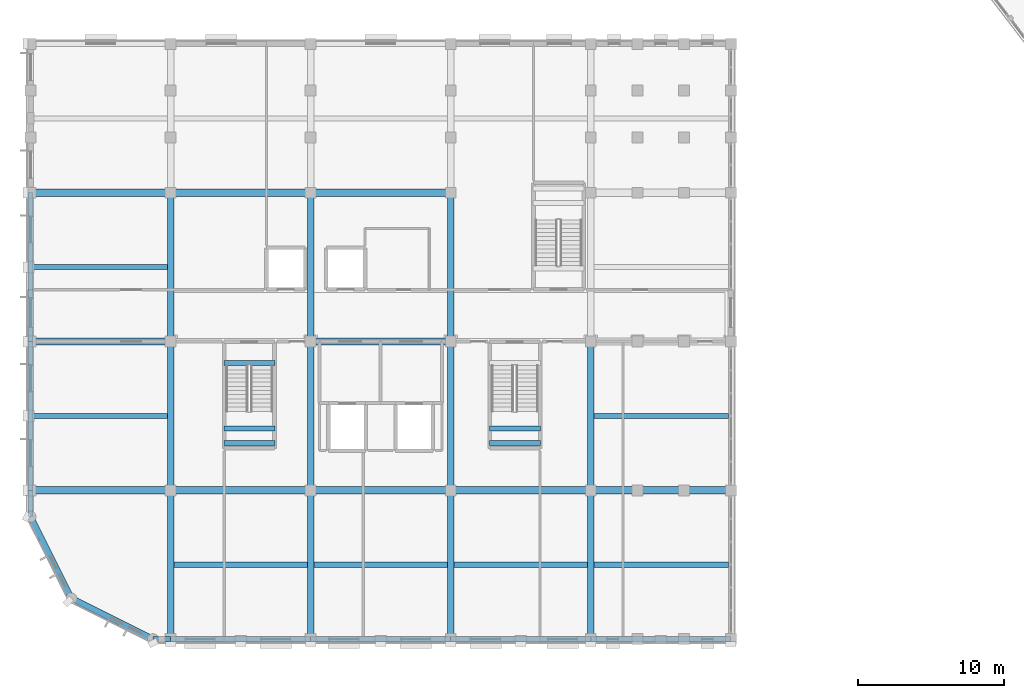
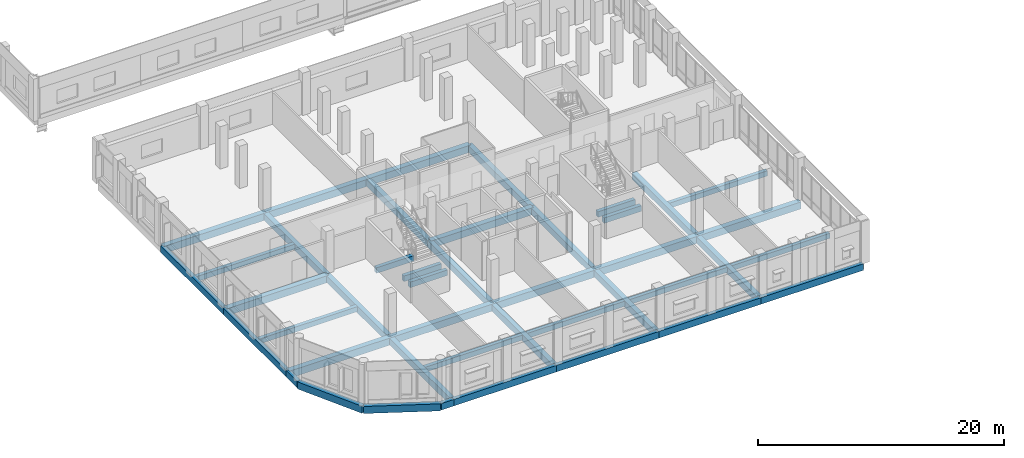
# One storey, part 20 of 170: 43 beams.
"""IFC4 building model written with IfcOpenShell, lengths in metres."""

from ifc_helpers import new_model, si_unit, direction, frame, origin, origin_2d, place, context, subcontext, project, spatial, rectangle, extrude, material, material_profile, profile_set, type_object, element, save


model = new_model("IFC4")

# Units and contexts
model_context = context("Model", 3, precision=1e-05, world=origin(), true_north=direction((0.0, 1.0)))
body_context = subcontext(model_context, "Body", "Model", "MODEL_VIEW")
ifc_project = project(units=[si_unit("LENGTHUNIT", "METRE"), si_unit("AREAUNIT", "SQUARE_METRE"), si_unit("VOLUMEUNIT", "CUBIC_METRE"), si_unit("PLANEANGLEUNIT", "RADIAN"), si_unit("MASSUNIT", "GRAM", prefix="KILO")], contexts=[model_context])

# Site, building, storey
site_placement = place(None, origin())
site = spatial("IfcSite", under=ifc_project, at=site_placement, CompositionType="ELEMENT")
building_placement = place(site_placement, origin())
building = spatial("IfcBuilding", under=site, at=building_placement, Name="Vondelvale Polytechnic", CompositionType="ELEMENT")
storey_placement = place(building_placement, frame((0.0, 0.0, 5.39990234375)))
storey = spatial("IfcBuildingStorey", under=building, at=storey_placement, Name="L01", CompositionType="ELEMENT", Elevation=5.39990234375)

# Beams
ifc_material_1 = material(Name="Concrete N40 (f'c = 40 MPa)", Category="concrete")
ifc_material_profile_1 = material_profile(ifc_material_1, rectangle(XDim=0.35009765625, YDim=0.550048828125, at=origin_2d()), Name="RC-BM-350x550")
ifc_profile_set_1 = profile_set([ifc_material_profile_1], Name="Concrete N40 (f'c = 40 MPa)")
beam_type_1 = type_object("IfcBeamType", Name="BM-RC350x550", PredefinedType="BEAM", material=ifc_profile_set_1)
for number, where, z_axis, x_axis, name in (
    (1, (13.25, 14.449951171875, 1.625), (1.0, 0.0, 0.0), (0.0, 1.0, 0.0), "L01 STLD B-06"),
    (2, (13.25, 13.449951171875, 1.625), (1.0, 0.0, 0.0), (0.0, 1.0, 0.0), "L01 STLD B-06"),
    (3, (13.25, 18.925048828125, -0.27490234375), (1.0, 0.0, 0.0), (0.0, 1.0, 0.0), "L01 STHD B-06"),
    (4, (31.449951171875, 14.449951171875, 1.625), (1.0, 0.0, 0.0), (0.0, 1.0, 0.0), "L01 STLD B-06"),
    (5, (31.449951171875, 13.449951171875, 1.625), (1.0, 0.0, 0.0), (0.0, 1.0, 0.0), "L01 STLD B-06"),
):
    element("IfcBeam", number, at=place(storey_placement, frame(where, z_axis=z_axis, x_axis=x_axis)), inside=storey, type_object=beam_type_1, Name=name, PredefinedType="BEAM", context=body_context, shape_type="SweptSolid", body=[
        extrude(rectangle(XDim=0.35009765625, YDim=0.550048828125, at=origin_2d()), origin(), (0.0, 0.0, 1.0), 3.5),
    ])
ifc_material_profile_2 = material_profile(ifc_material_1, rectangle(XDim=0.449951171875, YDim=0.64990234375, at=origin_2d()), Name="RC-BM-450x650")
ifc_profile_set_2 = profile_set([ifc_material_profile_2], Name="Concrete N40 (f'c = 40 MPa)")
beam_type_2 = type_object("IfcBeamType", Name="BM-RC450x650", PredefinedType="BEAM", material=ifc_profile_set_2)
for number, where, z_axis, x_axis, name in (
    (6, (9.60009765625, 0.0, -0.60498046875), (0.0, 1.0, 0.0), (-1.0, 0.0, 0.0), "L01 B B-04"),
    (7, (9.60009765625, 10.199951171875, -0.60498046875), (0.0, 1.0, 0.0), (-1.0, 0.0, 0.0), "L01 B B-04"),
):
    element("IfcBeam", number, at=place(storey_placement, frame(where, z_axis=z_axis, x_axis=x_axis)), inside=storey, type_object=beam_type_2, Name=name, PredefinedType="BEAM", context=body_context, shape_type="SweptSolid", body=[
        extrude(rectangle(XDim=0.449951171875, YDim=0.64990234375, at=origin_2d()), origin(), (0.0, 0.0, 1.0), 10.199951171875),
    ])
beam_1_placement = place(storey_placement, frame((9.60009765625, 20.39990234375, -0.60498046875), z_axis=(0.0, 1.0, 0.0), x_axis=(-1.0, 0.0, 0.0)))
element("IfcBeam", 8, at=beam_1_placement, inside=storey, type_object=beam_type_2, Name="L01 B B-04", PredefinedType="BEAM", context=body_context, shape_type="SweptSolid", body=[
    extrude(rectangle(XDim=0.449951171875, YDim=0.64990234375, at=origin_2d()), origin(), (0.0, 0.0, 1.0), 10.2001953125),
])
for number, where, z_axis, x_axis, name in (
    (9, (19.199951171875, 0.0, -0.60498046875), (0.0, 1.0, 0.0), (-1.0, 0.0, 0.0), "L01 B B-04"),
    (10, (19.199951171875, 10.199951171875, -0.60498046875), (0.0, 1.0, 0.0), (-1.0, 0.0, 0.0), "L01 B B-04"),
):
    element("IfcBeam", number, at=place(storey_placement, frame(where, z_axis=z_axis, x_axis=x_axis)), inside=storey, type_object=beam_type_2, Name=name, PredefinedType="BEAM", context=body_context, shape_type="SweptSolid", body=[
        extrude(rectangle(XDim=0.449951171875, YDim=0.64990234375, at=origin_2d()), origin(), (0.0, 0.0, 1.0), 10.199951171875),
    ])
beam_2_placement = place(storey_placement, frame((19.199951171875, 20.39990234375, -0.60498046875), z_axis=(0.0, 1.0, 0.0), x_axis=(-1.0, 0.0, 0.0)))
element("IfcBeam", 11, at=beam_2_placement, inside=storey, type_object=beam_type_2, Name="L01 B B-04", PredefinedType="BEAM", context=body_context, shape_type="SweptSolid", body=[
    extrude(rectangle(XDim=0.449951171875, YDim=0.64990234375, at=origin_2d()), origin(), (0.0, 0.0, 1.0), 10.2001953125),
])
for number, where, z_axis, x_axis, name in (
    (12, (28.800048828125, 0.0, -0.60498046875), (0.0, 1.0, 0.0), (-1.0, 0.0, 0.0), "L01 B B-04"),
    (13, (28.800048828125, 10.199951171875, -0.60498046875), (0.0, 1.0, 0.0), (-1.0, 0.0, 0.0), "L01 B B-04"),
):
    element("IfcBeam", number, at=place(storey_placement, frame(where, z_axis=z_axis, x_axis=x_axis)), inside=storey, type_object=beam_type_2, Name=name, PredefinedType="BEAM", context=body_context, shape_type="SweptSolid", body=[
        extrude(rectangle(XDim=0.449951171875, YDim=0.64990234375, at=origin_2d()), origin(), (0.0, 0.0, 1.0), 10.199951171875),
    ])
beam_3_placement = place(storey_placement, frame((28.800048828125, 20.39990234375, -0.60498046875), z_axis=(0.0, 1.0, 0.0), x_axis=(-1.0, 0.0, 0.0)))
element("IfcBeam", 14, at=beam_3_placement, inside=storey, type_object=beam_type_2, Name="L01 B B-04", PredefinedType="BEAM", context=body_context, shape_type="SweptSolid", body=[
    extrude(rectangle(XDim=0.449951171875, YDim=0.64990234375, at=origin_2d()), origin(), (0.0, 0.0, 1.0), 10.2001953125),
])
for number, where, z_axis, x_axis, name in (
    (15, (38.39990234375, 0.0, -0.60498046875), (0.0, 1.0, 0.0), (-1.0, 0.0, 0.0), "L01 B B-04"),
    (16, (38.39990234375, 10.199951171875, -0.60498046875), (0.0, 1.0, 0.0), (-1.0, 0.0, 0.0), "L01 B B-04"),
):
    element("IfcBeam", number, at=place(storey_placement, frame(where, z_axis=z_axis, x_axis=x_axis)), inside=storey, type_object=beam_type_2, Name=name, PredefinedType="BEAM", context=body_context, shape_type="SweptSolid", body=[
        extrude(rectangle(XDim=0.449951171875, YDim=0.64990234375, at=origin_2d()), origin(), (0.0, 0.0, 1.0), 10.199951171875),
    ])
ifc_material_profile_3 = material_profile(ifc_material_1, rectangle(XDim=0.5, YDim=0.699951171875, at=origin_2d()), Name="RC-BM-500x700")
ifc_profile_set_3 = profile_set([ifc_material_profile_3], Name="Concrete N40 (f'c = 40 MPa)")
beam_type_3 = type_object("IfcBeamType", Name="BM-RC500x700", PredefinedType="BEAM", material=ifc_profile_set_3)
beam_4_placement = place(storey_placement, frame((0.0, 10.199951171875, -0.6298828125), z_axis=(1.0, 0.0, 0.0), x_axis=(0.0, 1.0, 0.0)))
element("IfcBeam", 17, at=beam_4_placement, inside=storey, type_object=beam_type_3, Name="L01 B B-03", PredefinedType="BEAM", context=body_context, shape_type="SweptSolid", body=[
    extrude(rectangle(XDim=0.5, YDim=0.699951171875, at=origin_2d()), origin(), (0.0, 0.0, 1.0), 9.60009765625),
])
beam_5_placement = place(storey_placement, frame((9.60009765625, 10.199951171875, -0.6298828125), z_axis=(1.0, 0.0, 0.0), x_axis=(0.0, 1.0, 0.0)))
element("IfcBeam", 18, at=beam_5_placement, inside=storey, type_object=beam_type_3, Name="L01 B B-03", PredefinedType="BEAM", context=body_context, shape_type="SweptSolid", body=[
    extrude(rectangle(XDim=0.5, YDim=0.699951171875, at=origin_2d()), origin(), (0.0, 0.0, 1.0), 9.599853515625),
])
beam_6_placement = place(storey_placement, frame((19.199951171875, 10.199951171875, -0.6298828125), z_axis=(1.0, 0.0, 0.0), x_axis=(0.0, 1.0, 0.0)))
element("IfcBeam", 19, at=beam_6_placement, inside=storey, type_object=beam_type_3, Name="L01 B B-03", PredefinedType="BEAM", context=body_context, shape_type="SweptSolid", body=[
    extrude(rectangle(XDim=0.5, YDim=0.699951171875, at=origin_2d()), origin(), (0.0, 0.0, 1.0), 9.60009765625),
])
beam_7_placement = place(storey_placement, frame((28.800048828125, 10.199951171875, -0.6298828125), z_axis=(1.0, 0.0, 0.0), x_axis=(0.0, 1.0, 0.0)))
element("IfcBeam", 20, at=beam_7_placement, inside=storey, type_object=beam_type_3, Name="L01 B B-03", PredefinedType="BEAM", context=body_context, shape_type="SweptSolid", body=[
    extrude(rectangle(XDim=0.5, YDim=0.699951171875, at=origin_2d()), origin(), (0.0, 0.0, 1.0), 9.599853515625),
])
for number, where, z_axis, x_axis, name in (
    (21, (38.39990234375, 10.199951171875, -0.6298828125), (1.0, 0.0, 0.0), (0.0, 1.0, 0.0), "L01 B B-03"),
    (22, (0.0, 20.39990234375, -0.6298828125), (1.0, 0.0, 0.0), (0.0, 1.0, 0.0), "L01 B B-03"),
    (23, (19.199951171875, 20.39990234375, -0.6298828125), (1.0, 0.0, 0.0), (0.0, 1.0, 0.0), "L01 B B-03"),
    (24, (0.0, 30.60009765625, -0.6298828125), (1.0, 0.0, 0.0), (0.0, 1.0, 0.0), "L01 B B-03"),
):
    element("IfcBeam", number, at=place(storey_placement, frame(where, z_axis=z_axis, x_axis=x_axis)), inside=storey, type_object=beam_type_3, Name=name, PredefinedType="BEAM", context=body_context, shape_type="SweptSolid", body=[
        extrude(rectangle(XDim=0.5, YDim=0.699951171875, at=origin_2d()), origin(), (0.0, 0.0, 1.0), 9.60009765625),
    ])
beam_8_placement = place(storey_placement, frame((9.60009765625, 30.60009765625, -0.6298828125), z_axis=(1.0, 0.0, 0.0), x_axis=(0.0, 1.0, 0.0)))
element("IfcBeam", 25, at=beam_8_placement, inside=storey, type_object=beam_type_3, Name="L01 B B-03", PredefinedType="BEAM", context=body_context, shape_type="SweptSolid", body=[
    extrude(rectangle(XDim=0.5, YDim=0.699951171875, at=origin_2d()), origin(), (0.0, 0.0, 1.0), 9.599853515625),
])
beam_9_placement = place(storey_placement, frame((19.199951171875, 30.60009765625, -0.6298828125), z_axis=(1.0, 0.0, 0.0), x_axis=(0.0, 1.0, 0.0)))
element("IfcBeam", 26, at=beam_9_placement, inside=storey, type_object=beam_type_3, Name="L01 B B-03", PredefinedType="BEAM", context=body_context, shape_type="SweptSolid", body=[
    extrude(rectangle(XDim=0.5, YDim=0.699951171875, at=origin_2d()), origin(), (0.0, 0.0, 1.0), 9.60009765625),
])
ifc_material_profile_4 = material_profile(ifc_material_1, rectangle(XDim=0.35009765625, YDim=0.5, at=origin_2d()), Name="RC-JST-350x500")
ifc_profile_set_4 = profile_set([ifc_material_profile_4], Name="Concrete N40 (f'c = 40 MPa)")
beam_type_4 = type_object("IfcBeamType", Name="JST-RC350x500", PredefinedType="JOIST", material=ifc_profile_set_4)
beam_10_placement = place(storey_placement, frame((9.824951171875, 5.10009765625, -0.52978515625), z_axis=(1.0, 0.0, 0.0), x_axis=(0.0, 1.0, 0.0)))
element("IfcBeam", 27, at=beam_10_placement, inside=storey, type_object=beam_type_4, Name="L01 J J-01", PredefinedType="JOIST", context=body_context, shape_type="SweptSolid", body=[
    extrude(rectangle(XDim=0.35009765625, YDim=0.5, at=origin_2d()), origin(), (0.0, 0.0, 1.0), 9.150146484375),
])
beam_11_placement = place(storey_placement, frame((19.425048828125, 5.10009765625, -0.52978515625), z_axis=(1.0, 0.0, 0.0), x_axis=(0.0, 1.0, 0.0)))
element("IfcBeam", 28, at=beam_11_placement, inside=storey, type_object=beam_type_4, Name="L01 J J-01", PredefinedType="JOIST", context=body_context, shape_type="SweptSolid", body=[
    extrude(rectangle(XDim=0.35009765625, YDim=0.5, at=origin_2d()), origin(), (0.0, 0.0, 1.0), 9.14990234375),
])
beam_12_placement = place(storey_placement, frame((29.02490234375, 5.10009765625, -0.52978515625), z_axis=(1.0, 0.0, 0.0), x_axis=(0.0, 1.0, 0.0)))
element("IfcBeam", 29, at=beam_12_placement, inside=storey, type_object=beam_type_4, Name="L01 J J-01", PredefinedType="JOIST", context=body_context, shape_type="SweptSolid", body=[
    extrude(rectangle(XDim=0.35009765625, YDim=0.5, at=origin_2d()), origin(), (0.0, 0.0, 1.0), 9.150146484375),
])
for number, where, z_axis, x_axis, name in (
    (30, (38.625, 5.10009765625, -0.52978515625), (1.0, 0.0, 0.0), (0.0, 1.0, 0.0), "L01 J J-01"),
    (31, (0.175048828125, 15.300048828125, -0.52978515625), (1.0, 0.0, 0.0), (0.0, 1.0, 0.0), "L01 J J-01"),
    (32, (38.625, 15.300048828125, -0.52978515625), (1.0, 0.0, 0.0), (0.0, 1.0, 0.0), "L01 J J-01"),
    (33, (0.175048828125, 25.5, -0.52978515625), (1.0, 0.0, 0.0), (0.0, 1.0, 0.0), "L01 J J-01"),
):
    element("IfcBeam", number, at=place(storey_placement, frame(where, z_axis=z_axis, x_axis=x_axis)), inside=storey, type_object=beam_type_4, Name=name, PredefinedType="JOIST", context=body_context, shape_type="SweptSolid", body=[
        extrude(rectangle(XDim=0.35009765625, YDim=0.5, at=origin_2d()), origin(), (0.0, 0.0, 1.0), 9.199951171875),
    ])
ifc_material_2 = material(Name="Precast concrete N40 (f'c = 40 MPa)", Category="concrete")
ifc_material_profile_5 = material_profile(ifc_material_2, rectangle(XDim=0.35009765625, YDim=0.64990234375, at=origin_2d()), Name="RC-SPN-350x650")
ifc_profile_set_5 = profile_set([ifc_material_profile_5], Name="Precast concrete N40 (f'c = 40 MPa)")
beam_type_5 = type_object("IfcBeamType", Name="SPN-PRE350x650", PredefinedType="SPANDREL", material=ifc_profile_set_5)
beam_13_placement = place(storey_placement, frame((8.39990234375, 0.0, -0.60498046875), z_axis=(1.0, 0.0, 0.0), x_axis=(0.0, 1.0, 0.0)))
element("IfcBeam", 34, at=beam_13_placement, inside=storey, type_object=beam_type_5, Name="L01 B SP-02", PredefinedType="SPANDREL", context=body_context, shape_type="SweptSolid", body=[
    extrude(rectangle(XDim=0.35009765625, YDim=0.64990234375, at=origin_2d()), origin(), (0.0, 0.0, 1.0), 1.2001953125),
])
beam_14_placement = place(storey_placement, frame((9.60009765625, 0.0, -0.60498046875), z_axis=(1.0, 0.0, 0.0), x_axis=(0.0, 1.0, 0.0)))
element("IfcBeam", 35, at=beam_14_placement, inside=storey, type_object=beam_type_5, Name="L01 B SP-02", PredefinedType="SPANDREL", context=body_context, shape_type="SweptSolid", body=[
    extrude(rectangle(XDim=0.35009765625, YDim=0.64990234375, at=origin_2d()), origin(), (0.0, 0.0, 1.0), 9.599853515625),
])
beam_15_placement = place(storey_placement, frame((19.199951171875, 0.0, -0.60498046875), z_axis=(1.0, 0.0, 0.0), x_axis=(0.0, 1.0, 0.0)))
element("IfcBeam", 36, at=beam_15_placement, inside=storey, type_object=beam_type_5, Name="L01 B SP-02", PredefinedType="SPANDREL", context=body_context, shape_type="SweptSolid", body=[
    extrude(rectangle(XDim=0.35009765625, YDim=0.64990234375, at=origin_2d()), origin(), (0.0, 0.0, 1.0), 9.60009765625),
])
beam_16_placement = place(storey_placement, frame((28.800048828125, 0.0, -0.60498046875), z_axis=(1.0, 0.0, 0.0), x_axis=(0.0, 1.0, 0.0)))
element("IfcBeam", 37, at=beam_16_placement, inside=storey, type_object=beam_type_5, Name="L01 B SP-02", PredefinedType="SPANDREL", context=body_context, shape_type="SweptSolid", body=[
    extrude(rectangle(XDim=0.35009765625, YDim=0.64990234375, at=origin_2d()), origin(), (0.0, 0.0, 1.0), 9.599853515625),
])
beam_17_placement = place(storey_placement, frame((38.39990234375, 0.0, -0.60498046875), z_axis=(1.0, 0.0, 0.0), x_axis=(0.0, 1.0, 0.0)))
element("IfcBeam", 38, at=beam_17_placement, inside=storey, type_object=beam_type_5, Name="L01 B SP-02", PredefinedType="SPANDREL", context=body_context, shape_type="SweptSolid", body=[
    extrude(rectangle(XDim=0.35009765625, YDim=0.64990234375, at=origin_2d()), origin(), (0.0, 0.0, 1.0), 9.60009765625),
])
beam_18_placement = place(storey_placement, frame((0.0, 8.39990234375, -0.60498046875), z_axis=(0.0, 1.0, 0.0), x_axis=(-1.0, 0.0, 0.0)))
element("IfcBeam", 39, at=beam_18_placement, inside=storey, type_object=beam_type_5, Name="L01 B SP-02", PredefinedType="SPANDREL", context=body_context, shape_type="SweptSolid", body=[
    extrude(rectangle(XDim=0.35009765625, YDim=0.64990234375, at=origin_2d()), origin(), (0.0, 0.0, 1.0), 1.800048828125),
])
beam_19_placement = place(storey_placement, frame((0.0, 10.199951171875, -0.60498046875), z_axis=(0.0, 1.0, 0.0), x_axis=(-1.0, 0.0, 0.0)))
element("IfcBeam", 40, at=beam_19_placement, inside=storey, type_object=beam_type_5, Name="L01 B SP-02", PredefinedType="SPANDREL", context=body_context, shape_type="SweptSolid", body=[
    extrude(rectangle(XDim=0.35009765625, YDim=0.64990234375, at=origin_2d()), origin(), (0.0, 0.0, 1.0), 10.199951171875),
])
beam_20_placement = place(storey_placement, frame((0.0, 20.39990234375, -0.60498046875), z_axis=(0.0, 1.0, 0.0), x_axis=(-1.0, 0.0, 0.0)))
element("IfcBeam", 41, at=beam_20_placement, inside=storey, type_object=beam_type_5, Name="L01 B SP-02", PredefinedType="SPANDREL", context=body_context, shape_type="SweptSolid", body=[
    extrude(rectangle(XDim=0.35009765625, YDim=0.64990234375, at=origin_2d()), origin(), (0.0, 0.0, 1.0), 10.2001953125),
])
ifc_material_profile_6 = material_profile(ifc_material_2, rectangle(XDim=0.39990234375, YDim=0.699951171875, at=origin_2d()), Name="RC-SPN-400x700")
ifc_profile_set_6 = profile_set([ifc_material_profile_6], Name="Precast concrete N40 (f'c = 40 MPa)")
beam_type_6 = type_object("IfcBeamType", Name="SPN-PRE400x700", PredefinedType="SPANDREL", material=ifc_profile_set_6)
for number, where, z_axis, x_axis, name in (
    (42, (8.39990234375, 0.0, -0.6298828125), (-0.894419391942, 0.447229193276, 0.0), (-0.447229193276, -0.894419391942, 0.0), "L01 SP SP-01"),
    (43, (2.800048828125, 2.800048828125, -0.6298828125), (-0.447229193276, 0.894419391942, 0.0), (-0.894419391942, -0.447229193276, 0.0), "L01 SP SP-01"),
):
    element("IfcBeam", number, at=place(storey_placement, frame(where, z_axis=z_axis, x_axis=x_axis)), inside=storey, type_object=beam_type_6, Name=name, PredefinedType="SPANDREL", context=body_context, shape_type="SweptSolid", body=[
        extrude(rectangle(XDim=0.39990234375, YDim=0.699951171875, at=origin_2d()), origin(), (0.0, 0.0, 1.0), 6.260986328125),
    ])

save(model, "model.ifc")
